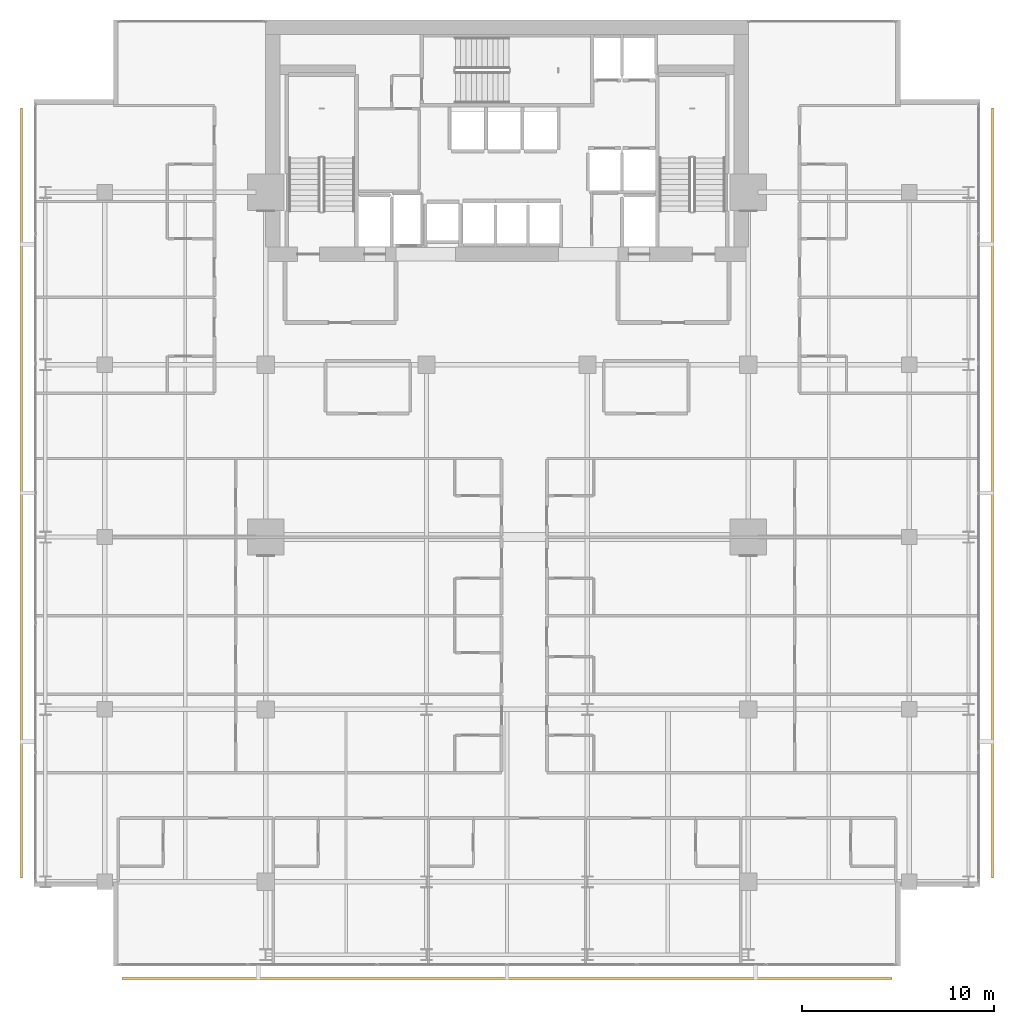
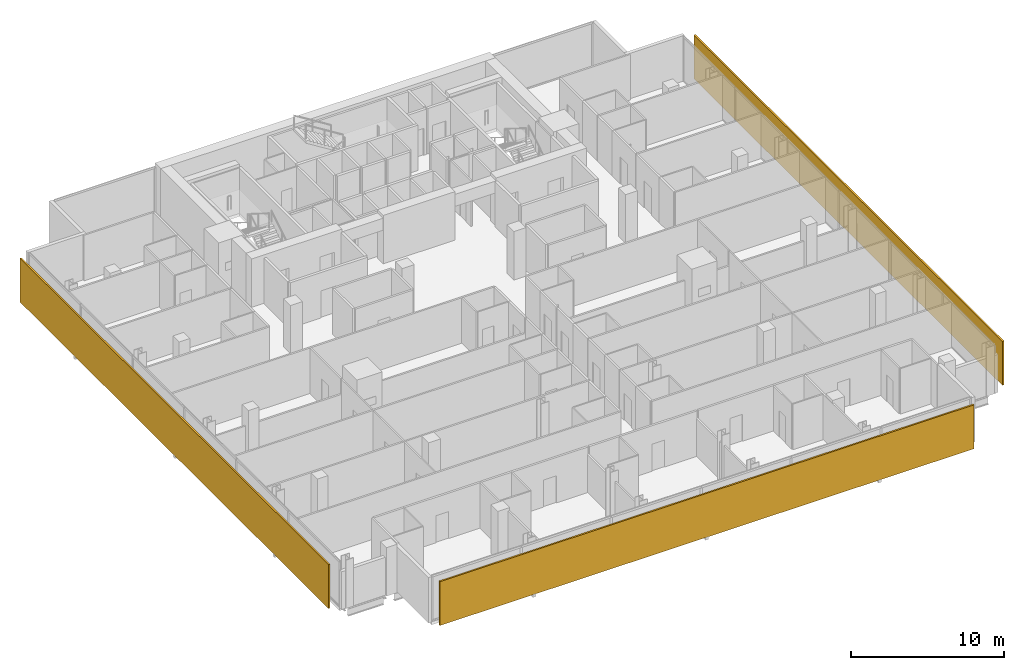
# One storey, part 33 of 34: 3 shading devices.
"""IFC4 building model written with IfcOpenShell, lengths in metres."""

from ifc_helpers import new_model, si_unit, direction, frame, origin, origin_2d, place, context, subcontext, project, spatial, rectangle, extrude, material, layer, layer_set, type_object, element, save


model = new_model("IFC4")

# Units and contexts
model_context = context("Model", 3, precision=1e-05, world=origin(), true_north=direction((0.0, 1.0)))
body_context = subcontext(model_context, "Body", "Model", "MODEL_VIEW")
ifc_project = project(units=[si_unit("LENGTHUNIT", "METRE"), si_unit("AREAUNIT", "SQUARE_METRE"), si_unit("VOLUMEUNIT", "CUBIC_METRE"), si_unit("PLANEANGLEUNIT", "RADIAN"), si_unit("MASSUNIT", "GRAM", prefix="KILO")], contexts=[model_context])

# Site, building, storey
site_placement = place(None, origin())
site = spatial("IfcSite", under=ifc_project, at=site_placement, CompositionType="ELEMENT")
building_placement = place(site_placement, origin())
building = spatial("IfcBuilding", under=site, at=building_placement, Name="Maruvema Waterfront Hotel and Observation Tower", CompositionType="ELEMENT")
storey_placement = place(building_placement, frame((0.0, 0.0, 177.449951171875)))
storey = spatial("IfcBuildingStorey", under=building, at=storey_placement, Name="L43", CompositionType="ELEMENT", Elevation=177.449951171875)

# Shading devices
ifc_material = material(Name="Honed travertine stone and anodised architectural bronze", Category="masonry")
ifc_layer = layer(ifc_material, 0.1201171875, Name="Ventilated Outer Skin Cobogo Stone-and-Bronze Screen 120 mm")
ifc_layer_set = layer_set([ifc_layer], Name="Honed travertine stone and anodised architectural bronze")
shading_device_type = type_object("IfcShadingDeviceType", Name="Ventilated Outer Skin Cobogo Stone-and-Bronze Screen 120 mm", PredefinedType="USERDEFINED", material=ifc_layer_set)
for number, where, z_axis, x_axis, name in (
    (1, (37.800048828125, 3.949951171875, 0.06005859375), (0.0, 0.0, 1.0), (1.0, 0.0, 0.0), "L43 Ventilated Double-Skin Outer Cobogo Screen OS-L43-S"),
    (2, (63.14990234375, 29.300048828125, 0.06005859375), (0.0, 0.0, 1.0), (0.0, 1.0, 0.0), "L43 Ventilated Double-Skin Outer Cobogo Screen OS-L43-E"),
    (3, (12.449951171875, 29.300048828125, 0.06005859375), (0.0, 0.0, 1.0), (0.0, -1.0, 0.0), "L43 Ventilated Double-Skin Outer Cobogo Screen OS-L43-W"),
):
    element("IfcShadingDevice", number, at=place(storey_placement, frame(where, z_axis=z_axis, x_axis=x_axis)), inside=storey, type_object=shading_device_type, Name=name, ObjectType="OUTER SKIN SCREEN", PredefinedType="USERDEFINED", context=body_context, shape_type="SweptSolid", body=[
        extrude(rectangle(XDim=40.199951171875, YDim=0.1201171875, at=origin_2d()), origin(), (0.0, 0.0, 1.0), 3.489990234375),
    ])

save(model, "model.ifc")
